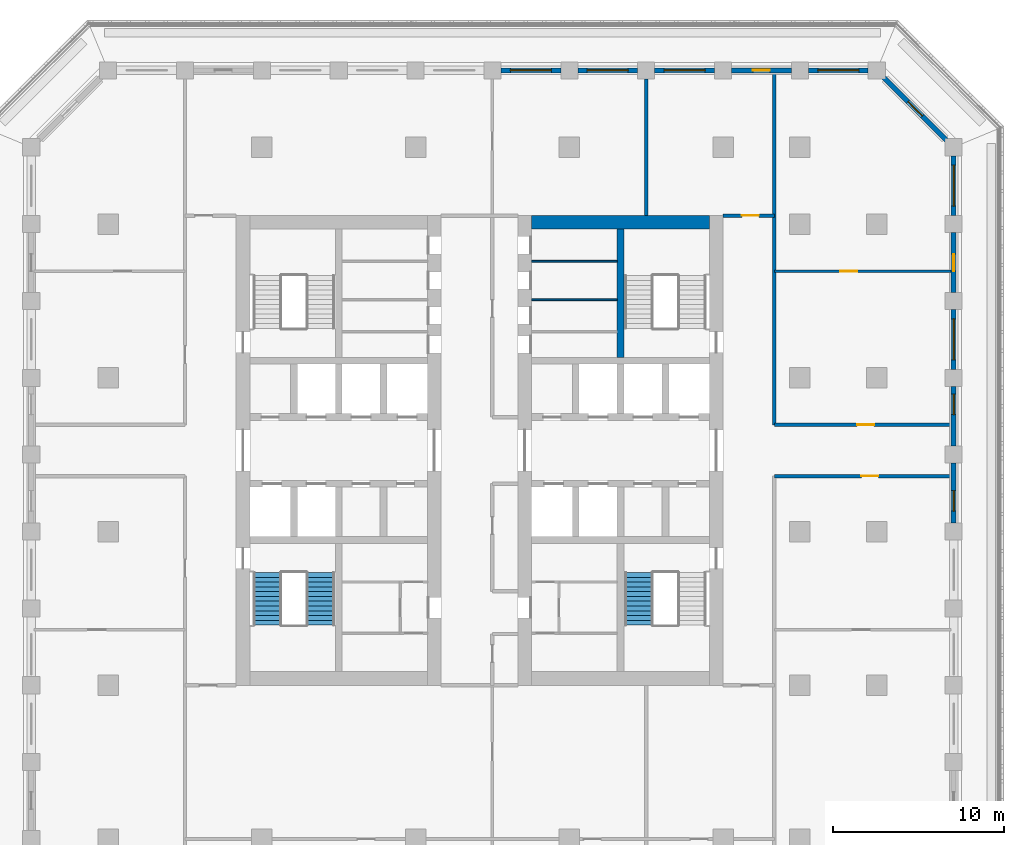
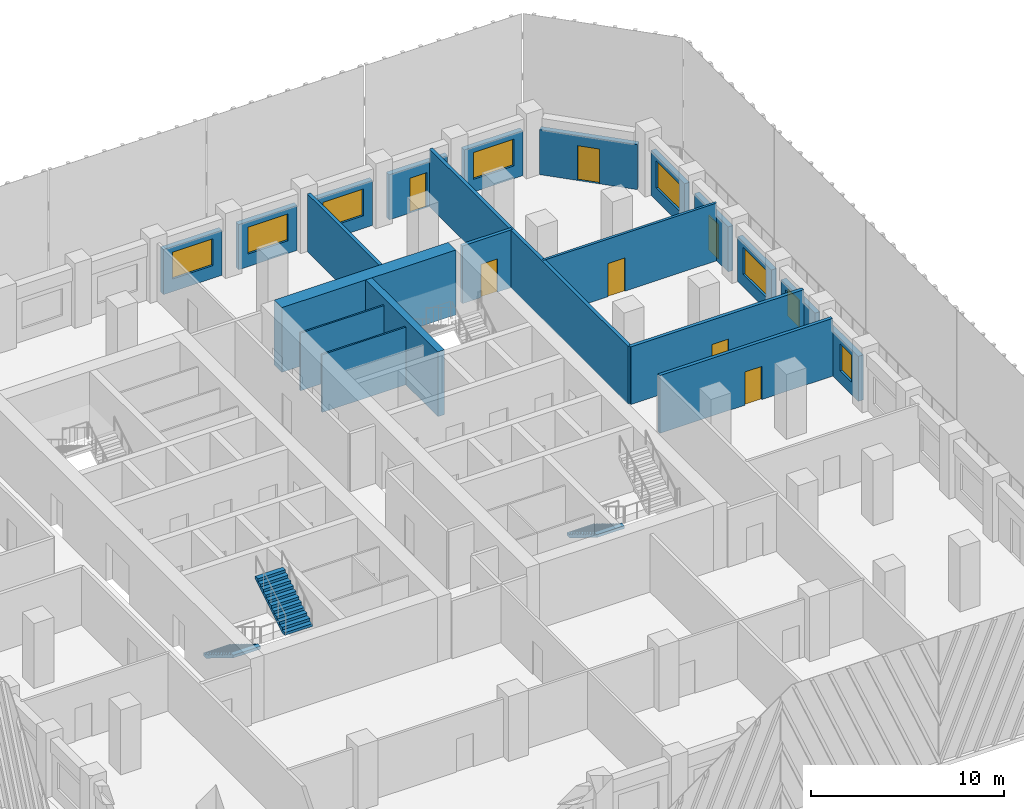
# One storey, part 7 of 16: 21 walls, 8 windows, 7 doors, 3 stair flights, 15 openings, 2 elements without a shape of their own.
"""IFC4 building model written with IfcOpenShell, lengths in metres."""

from ifc_helpers import new_model, si_unit, direction, frame, frame_2d, origin, place, context, subcontext, project, spatial, polyline, rectangle, outline, extrude, material, layer, layer_set, type_object, element, fill, aggregate, save


model = new_model("IFC4")

# Units and contexts
model_context = context("Model", 3, precision=1e-05, world=origin(), true_north=direction((0.0, 1.0)))
body_context = subcontext(model_context, "Body", "Model", "MODEL_VIEW")
ifc_project = project(units=[si_unit("LENGTHUNIT", "METRE"), si_unit("AREAUNIT", "SQUARE_METRE"), si_unit("VOLUMEUNIT", "CUBIC_METRE"), si_unit("PLANEANGLEUNIT", "RADIAN"), si_unit("MASSUNIT", "GRAM", prefix="KILO")], contexts=[model_context])

# Site, building, storey
site_placement = place(None, origin())
site = spatial("IfcSite", under=ifc_project, at=site_placement, CompositionType="ELEMENT")
building_placement = place(site_placement, origin())
building = spatial("IfcBuilding", under=site, at=building_placement, Name="Corbel Stack Research Tower", CompositionType="ELEMENT")
storey_placement = place(building_placement, frame((0.0, 0.0, 199.699951171875)))
storey = spatial("IfcBuildingStorey", under=building, at=storey_placement, Name="L45", CompositionType="ELEMENT", Elevation=199.699951171875)

# Walls
ifc_material_1 = material(Name="Concrete C60/75", Category="concrete")
ifc_layer_1 = layer(ifc_material_1, 0.39990234375)
ifc_layer_set_1 = layer_set([ifc_layer_1], Name="Concrete C60/75")
wall_type_1 = type_object("IfcWallType", Name="CW-400-60", PredefinedType="SHEAR", material=ifc_layer_set_1)
wall_1_placement = place(storey_placement, frame((12.0, 10.199951171875, 0.0), z_axis=(0.0, 0.0, 1.0), x_axis=(0.0, 1.0, 0.0)))
element("IfcWall", 1, at=wall_1_placement, inside=storey, type_object=wall_type_1, Name="East core wall, north stair and riser L45", PredefinedType="SHEAR", context=body_context, shape_type="SweptSolid", body=[
    extrude(rectangle(XDim=7.5, YDim=0.39990234375, at=frame_2d((3.75, 0.0))), origin(), (0.0, 0.0, 1.0), 4.10009765625),
])
ifc_material_2 = material(Name="Concrete C60/75", Category="concrete")
ifc_layer_2 = layer(ifc_material_2, 0.800048828125)
ifc_layer_set_2 = layer_set([ifc_layer_2], Name="Concrete C60/75")
wall_type_2 = type_object("IfcWallType", Name="CW-800-60", PredefinedType="SHEAR", material=ifc_layer_set_2)
wall_2_placement = place(storey_placement, frame((6.800048828125, 18.10009765625, 0.0), z_axis=(0.0, 0.0, 1.0), x_axis=(1.0, 0.0, 0.0)))
element("IfcWall", 2, at=wall_2_placement, inside=storey, type_object=wall_type_2, Name="East core wall, north end L45", PredefinedType="SHEAR", context=body_context, shape_type="SweptSolid", body=[
    extrude(rectangle(XDim=10.39990234375, YDim=0.800048828125, at=frame_2d((5.199951171875, 0.0))), origin(), (0.0, 0.0, 1.0), 4.10009765625),
])
ifc_material_3 = material(Name="Gypsum board")
ifc_layer_3 = layer(ifc_material_3, 0.10009765625)
ifc_layer_set_3 = layer_set([ifc_layer_3], Name="Gypsum board")
wall_type_3 = type_object("IfcWallType", Name="Core partition 100", PredefinedType="PARTITIONING", material=ifc_layer_set_3)
for number, where, z_axis, x_axis, name in (
    (3, (6.800048828125, 13.574951171875, 0.0), (0.0, 0.0, 1.0), (1.0, 0.0, 0.0), "Core partition E"),
    (4, (6.800048828125, 15.824951171875, 0.0), (0.0, 0.0, 1.0), (1.0, 0.0, 0.0), "Core partition E"),
):
    element("IfcWall", number, at=place(storey_placement, frame(where, z_axis=z_axis, x_axis=x_axis)), inside=storey, type_object=wall_type_3, Name=name, PredefinedType="PARTITIONING", context=body_context, shape_type="SweptSolid", body=[
        extrude(rectangle(XDim=5.0, YDim=0.10009765625, at=frame_2d((2.5, 0.0))), origin(), (0.0, 0.0, 1.0), 3.650146484375),
    ])
ifc_material_4 = material(Name="Fire-rated gypsum board partition on steel studs", Category="steel")
ifc_layer_4 = layer(ifc_material_4, 0.199951171875)
ifc_layer_set_4 = layer_set([ifc_layer_4], Name="Fire-rated gypsum board partition on steel studs")
wall_type_4 = type_object("IfcWallType", Name="Fire-rated partition 200 EI 60", PredefinedType="PARTITIONING", material=ifc_layer_set_4)
wall_3_placement = place(storey_placement, frame((13.5, 18.5, 0.0), z_axis=(0.0, 0.0, 1.0), x_axis=(0.0, 1.0, 0.0)))
element("IfcWall", 5, at=wall_3_placement, inside=storey, type_object=wall_type_4, Name="Partition L45-009", PredefinedType="PARTITIONING", context=body_context, shape_type="SweptSolid", body=[
    extrude(rectangle(XDim=8.0, YDim=0.199951171875, at=frame_2d((4.0, 0.0))), origin(), (0.0, 0.0, 1.0), 3.650146484375),
])
wall_4_placement = place(storey_placement, frame((21.0, 6.25, 0.0), z_axis=(0.0, 0.0, 1.0), x_axis=(0.0, 1.0, 0.0)))
element("IfcWall", 6, at=wall_4_placement, inside=storey, type_object=wall_type_4, Name="Partition L45-011", PredefinedType="PARTITIONING", context=body_context, shape_type="SweptSolid", body=[
    extrude(rectangle(XDim=20.60009765625, YDim=0.199951171875, at=frame_2d((10.300048828125, 0.0))), origin(), (0.0, 0.0, 1.0), 3.650146484375),
])

# Wall, opening, door
wall_5_placement = place(storey_placement, frame((31.35009765625, 3.25, 0.0), z_axis=(0.0, 0.0, 1.0), x_axis=(-1.0, 0.0, 0.0)))
wall_5 = element("IfcWall", 7, at=wall_5_placement, inside=storey, type_object=wall_type_4, Name="Partition L45-026", PredefinedType="PARTITIONING", context=body_context, shape_type="SweptSolid", body=[
    extrude(rectangle(XDim=10.35009765625, YDim=0.199951171875, at=frame_2d((5.175048828125, 0.0))), origin(), (0.0, 0.0, 1.0), 3.650146484375),
])
opening_1_placement = place(wall_5_placement, frame((4.25, 0.0, 0.0)))
opening_1 = element("IfcOpeningElement", 8, at=opening_1_placement, cuts=wall_5, Name="Opening B6V0-010", PredefinedType="OPENING", context=body_context, shape_type="SweptSolid", body=[
    extrude(rectangle(XDim=1.0, YDim=2.10009765625, at=frame_2d((0.5, 1.050048828125))), frame((0.0, 0.10986328125, 0.0), z_axis=(0.0, -1.0, 0.0), x_axis=(1.0, 0.0, 0.0)), (0.0, 0.0, 1.0), 0.219970703125),
])
ifc_material_5 = material(Name="Painted steel fire door", Category="steel")
door_type_1 = type_object("IfcDoorType", Name="Fire door FD30S 1000 x 2100", OperationType="NOTDEFINED", PredefinedType="DOOR", material=ifc_material_5)
door_1_placement = place(opening_1_placement, origin())
door_1 = element("IfcDoor", 9, at=door_1_placement, inside=storey, type_object=door_type_1, Name="Door B6V0-010", OperationType="SINGLE_SWING_LEFT", OverallHeight=2.10009765625, OverallWidth=1.0, PredefinedType="DOOR", context=body_context, shape_type="SweptSolid", body=[
    extrude(rectangle(XDim=1.0, YDim=2.10009765625, at=frame_2d((0.5, 1.050048828125))), frame((0.0, 0.02490234375, 0.0), z_axis=(0.0, -1.0, 0.0), x_axis=(1.0, 0.0, 0.0)), (0.0, 0.0, 1.0), 0.050048828125),
])
fill(opening_1, door_1)

wall_6_placement = place(storey_placement, frame((21.0, 6.25, 0.0), z_axis=(0.0, 0.0, 1.0), x_axis=(1.0, 0.0, 0.0)))
wall_6 = element("IfcWall", 10, at=wall_6_placement, inside=storey, type_object=wall_type_4, Name="Partition L45-028", PredefinedType="PARTITIONING", context=body_context, shape_type="SweptSolid", body=[
    extrude(rectangle(XDim=10.35009765625, YDim=0.199951171875, at=frame_2d((5.175048828125, 0.0))), origin(), (0.0, 0.0, 1.0), 3.650146484375),
])
opening_2_placement = place(wall_6_placement, frame((4.85009765625, 0.0, 0.0)))
opening_2 = element("IfcOpeningElement", 11, at=opening_2_placement, cuts=wall_6, Name="Opening B6V0-016", PredefinedType="OPENING", context=body_context, shape_type="SweptSolid", body=[
    extrude(rectangle(XDim=1.0, YDim=2.10009765625, at=frame_2d((0.5, 1.050048828125))), frame((0.0, 0.10986328125, 0.0), z_axis=(0.0, -1.0, 0.0), x_axis=(1.0, 0.0, 0.0)), (0.0, 0.0, 1.0), 0.219970703125),
])
door_2_placement = place(opening_2_placement, origin())
door_2 = element("IfcDoor", 12, at=door_2_placement, inside=storey, type_object=door_type_1, Name="Door B6V0-016", OperationType="SINGLE_SWING_RIGHT", OverallHeight=2.10009765625, OverallWidth=1.0, PredefinedType="DOOR", context=body_context, shape_type="SweptSolid", body=[
    extrude(rectangle(XDim=1.0, YDim=2.10009765625, at=frame_2d((0.5, 1.050048828125))), frame((0.0, 0.02490234375, 0.0), z_axis=(0.0, -1.0, 0.0), x_axis=(1.0, 0.0, 0.0)), (0.0, 0.0, 1.0), 0.050048828125),
])
fill(opening_2, door_2)

wall_7_placement = place(storey_placement, frame((18.0, 18.5, 0.0), z_axis=(0.0, 0.0, 1.0), x_axis=(1.0, 0.0, 0.0)))
wall_7 = element("IfcWall", 13, at=wall_7_placement, inside=storey, type_object=wall_type_4, Name="Partition L45-034", PredefinedType="PARTITIONING", context=body_context, shape_type="SweptSolid", body=[
    extrude(rectangle(XDim=3.0, YDim=0.199951171875, at=frame_2d((1.5, 0.0))), origin(), (0.0, 0.0, 1.0), 3.650146484375),
])
opening_3_placement = place(wall_7_placement, frame((1.10009765625, 0.0, 0.0)))
opening_3 = element("IfcOpeningElement", 14, at=opening_3_placement, cuts=wall_7, Name="Opening B6V0-020", PredefinedType="OPENING", context=body_context, shape_type="SweptSolid", body=[
    extrude(rectangle(XDim=1.0, YDim=2.10009765625, at=frame_2d((0.5, 1.050048828125))), frame((0.0, 0.10986328125, 0.0), z_axis=(0.0, -1.0, 0.0), x_axis=(1.0, 0.0, 0.0)), (0.0, 0.0, 1.0), 0.219970703125),
])
door_3_placement = place(opening_3_placement, origin())
door_3 = element("IfcDoor", 15, at=door_3_placement, inside=storey, type_object=door_type_1, Name="Door B6V0-020", OperationType="SINGLE_SWING_RIGHT", OverallHeight=2.10009765625, OverallWidth=1.0, PredefinedType="DOOR", context=body_context, shape_type="SweptSolid", body=[
    extrude(rectangle(XDim=1.0, YDim=2.10009765625, at=frame_2d((0.5, 1.050048828125))), frame((0.0, 0.02490234375, 0.0), z_axis=(0.0, -1.0, 0.0), x_axis=(1.0, 0.0, 0.0)), (0.0, 0.0, 1.0), 0.050048828125),
])
fill(opening_3, door_3)

ifc_material_6 = material(Name="Gypsum board partition on steel studs", Category="steel")
ifc_layer_5 = layer(ifc_material_6, 0.14990234375)
ifc_layer_set_5 = layer_set([ifc_layer_5], Name="Gypsum board partition on steel studs")
wall_type_5 = type_object("IfcWallType", Name="Partition 150", PredefinedType="PARTITIONING", material=ifc_layer_set_5)
wall_8_placement = place(storey_placement, frame((21.0, 15.25, 0.0), z_axis=(0.0, 0.0, 1.0), x_axis=(1.0, 0.0, 0.0)))
wall_8 = element("IfcWall", 16, at=wall_8_placement, inside=storey, type_object=wall_type_5, Name="Partition L45-031", PredefinedType="PARTITIONING", context=body_context, shape_type="SweptSolid", body=[
    extrude(rectangle(XDim=10.35009765625, YDim=0.14990234375, at=frame_2d((5.175048828125, 0.0))), origin(), (0.0, 0.0, 1.0), 3.650146484375),
])
opening_4_placement = place(wall_8_placement, frame((3.85009765625, 0.0, 0.0)))
opening_4 = element("IfcOpeningElement", 17, at=opening_4_placement, cuts=wall_8, Name="Opening B6V0-018", PredefinedType="OPENING", context=body_context, shape_type="SweptSolid", body=[
    extrude(rectangle(XDim=1.0, YDim=2.10009765625, at=frame_2d((0.5, 1.050048828125))), frame((0.0, 0.0849609375, 0.0), z_axis=(0.0, -1.0, 0.0), x_axis=(1.0, 0.0, 0.0)), (0.0, 0.0, 1.0), 0.169921875),
])
ifc_material_7 = material(Name="Painted timber door", Category="wood")
door_type_2 = type_object("IfcDoorType", Name="Single door 1000 x 2100", OperationType="NOTDEFINED", PredefinedType="DOOR", material=ifc_material_7)
door_4_placement = place(opening_4_placement, origin())
door_4 = element("IfcDoor", 18, at=door_4_placement, inside=storey, type_object=door_type_2, Name="Door B6V0-018", OperationType="SINGLE_SWING_LEFT", OverallHeight=2.10009765625, OverallWidth=1.0, PredefinedType="DOOR", context=body_context, shape_type="SweptSolid", body=[
    extrude(rectangle(XDim=1.0, YDim=2.10009765625, at=frame_2d((0.5, 1.050048828125))), frame((0.0, 0.02490234375, 0.0), z_axis=(0.0, -1.0, 0.0), x_axis=(1.0, 0.0, 0.0)), (0.0, 0.0, 1.0), 0.050048828125),
])
fill(opening_4, door_4)

# Wall, opening, window
ifc_material_8 = material(Name="Concrete C45/55", Category="concrete")
ifc_layer_6 = layer(ifc_material_8, 0.300048828125)
ifc_layer_set_6 = layer_set([ifc_layer_6], Name="Concrete C45/55")
wall_type_6 = type_object("IfcWallType", Name="Terracotta-faced concrete wall 300", PredefinedType="SOLIDWALL", material=ifc_layer_set_6)
wall_9_placement = place(storey_placement, frame((31.5, 4.0, 0.0), z_axis=(0.0, 0.0, 1.0), x_axis=(0.0, -1.0, 0.0)))
wall_9 = element("IfcWall", 19, at=wall_9_placement, inside=storey, type_object=wall_type_6, Name="Facade wall L45 E06", PredefinedType="SOLIDWALL", context=body_context, shape_type="SweptSolid", body=[
    extrude(rectangle(XDim=3.5, YDim=0.300048828125, at=frame_2d((1.75, 0.0))), origin(), (0.0, 0.0, 1.0), 2.85009765625),
])
opening_5_placement = place(wall_9_placement, frame((1.60009765625, 0.0, 0.800048828125)))
opening_5 = element("IfcOpeningElement", 20, at=opening_5_placement, cuts=wall_9, Name="Opening W2", PredefinedType="OPENING", context=body_context, shape_type="SweptSolid", body=[
    extrude(rectangle(XDim=1.199951171875, YDim=1.699951171875, at=frame_2d((0.60009765625, 0.85009765625))), frame((0.0, 0.159912109375, 0.0), z_axis=(0.0, -1.0, 0.0), x_axis=(1.0, 0.0, 0.0)), (0.0, 0.0, 1.0), 0.320068359375),
])
ifc_material_9 = material(Name="Aluminium frame, clear double glazing", Category="aluminium")
window_type_1 = type_object("IfcWindowType", Name="Window W2 1200 x 1700", PartitioningType="SINGLE_PANEL", PredefinedType="WINDOW", material=ifc_material_9)
window_1_placement = place(opening_5_placement, origin())
window_1 = element("IfcWindow", 21, at=window_1_placement, inside=storey, type_object=window_type_1, Name="Window W2 L45 E06", OverallHeight=1.699951171875, OverallWidth=1.199951171875, PartitioningType="SINGLE_PANEL", PredefinedType="WINDOW", context=body_context, shape_type="SweptSolid", body=[
    extrude(rectangle(XDim=1.199951171875, YDim=1.699951171875, at=frame_2d((0.60009765625, 0.85009765625))), frame((0.0, 0.030029296875, 0.0), z_axis=(0.0, -1.0, 0.0), x_axis=(1.0, 0.0, 0.0)), (0.0, 0.0, 1.0), 0.06005859375),
])
fill(opening_5, window_1)

wall_10_placement = place(storey_placement, frame((31.5, 8.5, 0.0), z_axis=(0.0, 0.0, 1.0), x_axis=(0.0, -1.0, 0.0)))
wall_10 = element("IfcWall", 22, at=wall_10_placement, inside=storey, type_object=wall_type_6, Name="Facade wall L45 E07", PredefinedType="SOLIDWALL", context=body_context, shape_type="SweptSolid", body=[
    extrude(rectangle(XDim=3.5, YDim=0.300048828125, at=frame_2d((1.75, 0.0))), origin(), (0.0, 0.0, 1.0), 2.85009765625),
])
opening_6_placement = place(wall_10_placement, frame((0.449951171875, 0.0, 0.800048828125)))
opening_6 = element("IfcOpeningElement", 23, at=opening_6_placement, cuts=wall_10, Name="Opening W2", PredefinedType="OPENING", context=body_context, shape_type="SweptSolid", body=[
    extrude(rectangle(XDim=1.199951171875, YDim=1.699951171875, at=frame_2d((0.60009765625, 0.85009765625))), frame((0.0, 0.159912109375, 0.0), z_axis=(0.0, -1.0, 0.0), x_axis=(1.0, 0.0, 0.0)), (0.0, 0.0, 1.0), 0.320068359375),
])
window_2_placement = place(opening_6_placement, origin())
window_2 = element("IfcWindow", 24, at=window_2_placement, inside=storey, type_object=window_type_1, Name="Window W2 L45 E07", OverallHeight=1.699951171875, OverallWidth=1.199951171875, PartitioningType="SINGLE_PANEL", PredefinedType="WINDOW", context=body_context, shape_type="SweptSolid", body=[
    extrude(rectangle(XDim=1.199951171875, YDim=1.699951171875, at=frame_2d((0.60009765625, 0.85009765625))), frame((0.0, 0.030029296875, 0.0), z_axis=(0.0, -1.0, 0.0), x_axis=(1.0, 0.0, 0.0)), (0.0, 0.0, 1.0), 0.06005859375),
])
fill(opening_6, window_2)

wall_11_placement = place(storey_placement, frame((31.5, 13.0, 0.0), z_axis=(0.0, 0.0, 1.0), x_axis=(0.0, -1.0, 0.0)))
wall_11 = element("IfcWall", 25, at=wall_11_placement, inside=storey, type_object=wall_type_6, Name="Facade wall L45 E08", PredefinedType="SOLIDWALL", context=body_context, shape_type="SweptSolid", body=[
    extrude(rectangle(XDim=3.5, YDim=0.300048828125, at=frame_2d((1.75, 0.0))), origin(), (0.0, 0.0, 1.0), 2.85009765625),
])
opening_7_placement = place(wall_11_placement, frame((0.550048828125, 0.0, 0.800048828125)))
opening_7 = element("IfcOpeningElement", 26, at=opening_7_placement, cuts=wall_11, Name="Opening W1", PredefinedType="OPENING", context=body_context, shape_type="SweptSolid", body=[
    extrude(rectangle(XDim=2.39990234375, YDim=1.699951171875, at=frame_2d((1.199951171875, 0.85009765625))), frame((0.0, 0.159912109375, 0.0), z_axis=(0.0, -1.0, 0.0), x_axis=(1.0, 0.0, 0.0)), (0.0, 0.0, 1.0), 0.320068359375),
])
ifc_material_10 = material(Name="Aluminium frame, clear double glazing", Category="aluminium")
window_type_2 = type_object("IfcWindowType", Name="Window W1 2400 x 1700", PartitioningType="SINGLE_PANEL", PredefinedType="WINDOW", material=ifc_material_10)
window_3_placement = place(opening_7_placement, origin())
window_3 = element("IfcWindow", 27, at=window_3_placement, inside=storey, type_object=window_type_2, Name="Window W1 L45 E08", OverallHeight=1.699951171875, OverallWidth=2.39990234375, PartitioningType="SINGLE_PANEL", PredefinedType="WINDOW", context=body_context, shape_type="SweptSolid", body=[
    extrude(rectangle(XDim=2.39990234375, YDim=1.699951171875, at=frame_2d((1.199951171875, 0.85009765625))), frame((0.0, 0.030029296875, 0.0), z_axis=(0.0, -1.0, 0.0), x_axis=(1.0, 0.0, 0.0)), (0.0, 0.0, 1.0), 0.06005859375),
])
fill(opening_7, window_3)

# Wall, opening, door
wall_12_placement = place(storey_placement, frame((31.5, 17.5, 0.0), z_axis=(0.0, 0.0, 1.0), x_axis=(0.0, -1.0, 0.0)))
wall_12 = element("IfcWall", 28, at=wall_12_placement, inside=storey, type_object=wall_type_6, Name="Facade wall L45 E09", PredefinedType="SOLIDWALL", context=body_context, shape_type="SweptSolid", body=[
    extrude(rectangle(XDim=3.5, YDim=0.300048828125, at=frame_2d((1.75, 0.0))), origin(), (0.0, 0.0, 1.0), 2.85009765625),
])
opening_8_placement = place(wall_12_placement, frame((1.25, 0.0, 0.0)))
opening_8 = element("IfcOpeningElement", 29, at=opening_8_placement, cuts=wall_12, Name="Opening L45-B05", PredefinedType="OPENING", context=body_context, shape_type="SweptSolid", body=[
    extrude(rectangle(XDim=1.0, YDim=2.199951171875, at=frame_2d((0.5, 1.10009765625))), frame((0.0, 0.159912109375, 0.0), z_axis=(0.0, -1.0, 0.0), x_axis=(1.0, 0.0, 0.0)), (0.0, 0.0, 1.0), 0.320068359375),
])
ifc_material_11 = material(Name="Aluminium frame, clear double glazing", Category="aluminium")
door_type_3 = type_object("IfcDoorType", Name="Balcony door BD1 1000 x 2200", OperationType="NOTDEFINED", PredefinedType="DOOR", material=ifc_material_11)
door_5_placement = place(opening_8_placement, origin())
door_5 = element("IfcDoor", 30, at=door_5_placement, inside=storey, type_object=door_type_3, Name="Balcony door L45-B05", OperationType="SINGLE_SWING_RIGHT", OverallHeight=2.199951171875, OverallWidth=1.0, PredefinedType="DOOR", context=body_context, shape_type="SweptSolid", body=[
    extrude(rectangle(XDim=1.0, YDim=2.199951171875, at=frame_2d((0.5, 1.10009765625))), frame((0.0, 0.02490234375, 0.0), z_axis=(0.0, -1.0, 0.0), x_axis=(1.0, 0.0, 0.0)), (0.0, 0.0, 1.0), 0.050048828125),
])
fill(opening_8, door_5)

# Wall, opening, window
wall_13_placement = place(storey_placement, frame((31.5, 22.0, 0.0), z_axis=(0.0, 0.0, 1.0), x_axis=(0.0, -1.0, 0.0)))
wall_13 = element("IfcWall", 31, at=wall_13_placement, inside=storey, type_object=wall_type_6, Name="Facade wall L45 E10", PredefinedType="SOLIDWALL", context=body_context, shape_type="SweptSolid", body=[
    extrude(rectangle(XDim=3.5, YDim=0.300048828125, at=frame_2d((1.75, 0.0))), origin(), (0.0, 0.0, 1.0), 2.85009765625),
])
opening_9_placement = place(wall_13_placement, frame((0.550048828125, 0.0, 0.800048828125)))
opening_9 = element("IfcOpeningElement", 32, at=opening_9_placement, cuts=wall_13, Name="Opening W1", PredefinedType="OPENING", context=body_context, shape_type="SweptSolid", body=[
    extrude(rectangle(XDim=2.39990234375, YDim=1.699951171875, at=frame_2d((1.199951171875, 0.85009765625))), frame((0.0, 0.159912109375, 0.0), z_axis=(0.0, -1.0, 0.0), x_axis=(1.0, 0.0, 0.0)), (0.0, 0.0, 1.0), 0.320068359375),
])
window_4_placement = place(opening_9_placement, origin())
window_4 = element("IfcWindow", 33, at=window_4_placement, inside=storey, type_object=window_type_2, Name="Window W1 L45 E10", OverallHeight=1.699951171875, OverallWidth=2.39990234375, PartitioningType="SINGLE_PANEL", PredefinedType="WINDOW", context=body_context, shape_type="SweptSolid", body=[
    extrude(rectangle(XDim=2.39990234375, YDim=1.699951171875, at=frame_2d((1.199951171875, 0.85009765625))), frame((0.0, 0.030029296875, 0.0), z_axis=(0.0, -1.0, 0.0), x_axis=(1.0, 0.0, 0.0)), (0.0, 0.0, 1.0), 0.06005859375),
])
fill(opening_9, window_4)

# Wall, opening, door
wall_14_placement = place(storey_placement, frame((27.393798828125, 26.606201171875, 0.0), z_axis=(0.0, 0.0, 1.0), x_axis=(0.707106781187, -0.707106781187, 0.0)))
wall_14 = element("IfcWall", 34, at=wall_14_placement, inside=storey, type_object=wall_type_6, Name="Facade wall L45 NE01", PredefinedType="SOLIDWALL", context=body_context, shape_type="SweptSolid", body=[
    extrude(rectangle(XDim=5.250244140625, YDim=0.300048828125, at=frame_2d((2.625, 0.0))), origin(), (0.0, 0.0, 1.0), 2.85009765625),
])
opening_10_placement = place(wall_14_placement, frame((2.02490234375, 0.0, 0.0)))
opening_10 = element("IfcOpeningElement", 35, at=opening_10_placement, cuts=wall_14, Name="Opening L45-B06", PredefinedType="OPENING", context=body_context, shape_type="SweptSolid", body=[
    extrude(rectangle(XDim=1.199951171875, YDim=2.199951171875, at=frame_2d((0.60009765625, 1.10009765625))), frame((0.0, 0.159912109375, 0.0), z_axis=(0.0, -1.0, 0.0), x_axis=(1.0, 0.0, 0.0)), (0.0, 0.0, 1.0), 0.320068359375),
])
ifc_material_12 = material(Name="Aluminium frame, clear double glazing", Category="aluminium")
door_type_4 = type_object("IfcDoorType", Name="Balcony door BD2 1200 x 2200", OperationType="NOTDEFINED", PredefinedType="DOOR", material=ifc_material_12)
door_6_placement = place(opening_10_placement, origin())
door_6 = element("IfcDoor", 36, at=door_6_placement, inside=storey, type_object=door_type_4, Name="Balcony door L45-B06", OperationType="SINGLE_SWING_RIGHT", OverallHeight=2.199951171875, OverallWidth=1.199951171875, PredefinedType="DOOR", context=body_context, shape_type="SweptSolid", body=[
    extrude(rectangle(XDim=1.199951171875, YDim=2.199951171875, at=frame_2d((0.60009765625, 1.10009765625))), frame((0.0, 0.02490234375, 0.0), z_axis=(0.0, -1.0, 0.0), x_axis=(1.0, 0.0, 0.0)), (0.0, 0.0, 1.0), 0.050048828125),
])
fill(opening_10, door_6)

# Wall, opening, window
wall_15_placement = place(storey_placement, frame((23.0, 27.0, 0.0), z_axis=(0.0, 0.0, 1.0), x_axis=(1.0, 0.0, 0.0)))
wall_15 = element("IfcWall", 37, at=wall_15_placement, inside=storey, type_object=wall_type_6, Name="Facade wall L45 N01", PredefinedType="SOLIDWALL", context=body_context, shape_type="SweptSolid", body=[
    extrude(rectangle(XDim=3.5, YDim=0.300048828125, at=frame_2d((1.75, 0.0))), origin(), (0.0, 0.0, 1.0), 2.85009765625),
])
opening_11_placement = place(wall_15_placement, frame((0.550048828125, 0.0, 0.800048828125)))
opening_11 = element("IfcOpeningElement", 38, at=opening_11_placement, cuts=wall_15, Name="Opening W1", PredefinedType="OPENING", context=body_context, shape_type="SweptSolid", body=[
    extrude(rectangle(XDim=2.39990234375, YDim=1.699951171875, at=frame_2d((1.199951171875, 0.85009765625))), frame((0.0, 0.159912109375, 0.0), z_axis=(0.0, -1.0, 0.0), x_axis=(1.0, 0.0, 0.0)), (0.0, 0.0, 1.0), 0.320068359375),
])
window_5_placement = place(opening_11_placement, origin())
window_5 = element("IfcWindow", 39, at=window_5_placement, inside=storey, type_object=window_type_2, Name="Window W1 L45 N01", OverallHeight=1.699951171875, OverallWidth=2.39990234375, PartitioningType="SINGLE_PANEL", PredefinedType="WINDOW", context=body_context, shape_type="SweptSolid", body=[
    extrude(rectangle(XDim=2.39990234375, YDim=1.699951171875, at=frame_2d((1.199951171875, 0.85009765625))), frame((0.0, 0.030029296875, 0.0), z_axis=(0.0, -1.0, 0.0), x_axis=(1.0, 0.0, 0.0)), (0.0, 0.0, 1.0), 0.06005859375),
])
fill(opening_11, window_5)

# Wall, opening, door
wall_16_placement = place(storey_placement, frame((18.5, 27.0, 0.0), z_axis=(0.0, 0.0, 1.0), x_axis=(1.0, 0.0, 0.0)))
wall_16 = element("IfcWall", 40, at=wall_16_placement, inside=storey, type_object=wall_type_6, Name="Facade wall L45 N02", PredefinedType="SOLIDWALL", context=body_context, shape_type="SweptSolid", body=[
    extrude(rectangle(XDim=3.5, YDim=0.300048828125, at=frame_2d((1.75, 0.0))), origin(), (0.0, 0.0, 1.0), 2.85009765625),
])
opening_12_placement = place(wall_16_placement, frame((1.25, 0.0, 0.0)))
opening_12 = element("IfcOpeningElement", 41, at=opening_12_placement, cuts=wall_16, Name="Opening L45-B07", PredefinedType="OPENING", context=body_context, shape_type="SweptSolid", body=[
    extrude(rectangle(XDim=1.0, YDim=2.199951171875, at=frame_2d((0.5, 1.10009765625))), frame((0.0, 0.159912109375, 0.0), z_axis=(0.0, -1.0, 0.0), x_axis=(1.0, 0.0, 0.0)), (0.0, 0.0, 1.0), 0.320068359375),
])
door_7_placement = place(opening_12_placement, origin())
door_7 = element("IfcDoor", 42, at=door_7_placement, inside=storey, type_object=door_type_3, Name="Balcony door L45-B07", OperationType="SINGLE_SWING_LEFT", OverallHeight=2.199951171875, OverallWidth=1.0, PredefinedType="DOOR", context=body_context, shape_type="SweptSolid", body=[
    extrude(rectangle(XDim=1.0, YDim=2.199951171875, at=frame_2d((0.5, 1.10009765625))), frame((0.0, 0.02490234375, 0.0), z_axis=(0.0, -1.0, 0.0), x_axis=(1.0, 0.0, 0.0)), (0.0, 0.0, 1.0), 0.050048828125),
])
fill(opening_12, door_7)

# Wall, opening, window
wall_17_placement = place(storey_placement, frame((14.0, 27.0, 0.0), z_axis=(0.0, 0.0, 1.0), x_axis=(1.0, 0.0, 0.0)))
wall_17 = element("IfcWall", 43, at=wall_17_placement, inside=storey, type_object=wall_type_6, Name="Facade wall L45 N03", PredefinedType="SOLIDWALL", context=body_context, shape_type="SweptSolid", body=[
    extrude(rectangle(XDim=3.5, YDim=0.300048828125, at=frame_2d((1.75, 0.0))), origin(), (0.0, 0.0, 1.0), 2.85009765625),
])
opening_13_placement = place(wall_17_placement, frame((0.550048828125, 0.0, 0.800048828125)))
opening_13 = element("IfcOpeningElement", 44, at=opening_13_placement, cuts=wall_17, Name="Opening W1", PredefinedType="OPENING", context=body_context, shape_type="SweptSolid", body=[
    extrude(rectangle(XDim=2.39990234375, YDim=1.699951171875, at=frame_2d((1.199951171875, 0.85009765625))), frame((0.0, 0.159912109375, 0.0), z_axis=(0.0, -1.0, 0.0), x_axis=(1.0, 0.0, 0.0)), (0.0, 0.0, 1.0), 0.320068359375),
])
window_6_placement = place(opening_13_placement, origin())
window_6 = element("IfcWindow", 45, at=window_6_placement, inside=storey, type_object=window_type_2, Name="Window W1 L45 N03", OverallHeight=1.699951171875, OverallWidth=2.39990234375, PartitioningType="SINGLE_PANEL", PredefinedType="WINDOW", context=body_context, shape_type="SweptSolid", body=[
    extrude(rectangle(XDim=2.39990234375, YDim=1.699951171875, at=frame_2d((1.199951171875, 0.85009765625))), frame((0.0, 0.030029296875, 0.0), z_axis=(0.0, -1.0, 0.0), x_axis=(1.0, 0.0, 0.0)), (0.0, 0.0, 1.0), 0.06005859375),
])
fill(opening_13, window_6)

wall_18_placement = place(storey_placement, frame((9.5, 27.0, 0.0), z_axis=(0.0, 0.0, 1.0), x_axis=(1.0, 0.0, 0.0)))
wall_18 = element("IfcWall", 46, at=wall_18_placement, inside=storey, type_object=wall_type_6, Name="Facade wall L45 N04", PredefinedType="SOLIDWALL", context=body_context, shape_type="SweptSolid", body=[
    extrude(rectangle(XDim=3.5, YDim=0.300048828125, at=frame_2d((1.75, 0.0))), origin(), (0.0, 0.0, 1.0), 2.85009765625),
])
opening_14_placement = place(wall_18_placement, frame((0.550048828125, 0.0, 0.800048828125)))
opening_14 = element("IfcOpeningElement", 47, at=opening_14_placement, cuts=wall_18, Name="Opening W1", PredefinedType="OPENING", context=body_context, shape_type="SweptSolid", body=[
    extrude(rectangle(XDim=2.39990234375, YDim=1.699951171875, at=frame_2d((1.199951171875, 0.85009765625))), frame((0.0, 0.159912109375, 0.0), z_axis=(0.0, -1.0, 0.0), x_axis=(1.0, 0.0, 0.0)), (0.0, 0.0, 1.0), 0.320068359375),
])
window_7_placement = place(opening_14_placement, origin())
window_7 = element("IfcWindow", 48, at=window_7_placement, inside=storey, type_object=window_type_2, Name="Window W1 L45 N04", OverallHeight=1.699951171875, OverallWidth=2.39990234375, PartitioningType="SINGLE_PANEL", PredefinedType="WINDOW", context=body_context, shape_type="SweptSolid", body=[
    extrude(rectangle(XDim=2.39990234375, YDim=1.699951171875, at=frame_2d((1.199951171875, 0.85009765625))), frame((0.0, 0.030029296875, 0.0), z_axis=(0.0, -1.0, 0.0), x_axis=(1.0, 0.0, 0.0)), (0.0, 0.0, 1.0), 0.06005859375),
])
fill(opening_14, window_7)

wall_19_placement = place(storey_placement, frame((5.0, 27.0, 0.0), z_axis=(0.0, 0.0, 1.0), x_axis=(1.0, 0.0, 0.0)))
wall_19 = element("IfcWall", 49, at=wall_19_placement, inside=storey, type_object=wall_type_6, Name="Facade wall L45 N05", PredefinedType="SOLIDWALL", context=body_context, shape_type="SweptSolid", body=[
    extrude(rectangle(XDim=3.5, YDim=0.300048828125, at=frame_2d((1.75, 0.0))), origin(), (0.0, 0.0, 1.0), 2.85009765625),
])
opening_15_placement = place(wall_19_placement, frame((0.550048828125, 0.0, 0.800048828125)))
opening_15 = element("IfcOpeningElement", 50, at=opening_15_placement, cuts=wall_19, Name="Opening W1", PredefinedType="OPENING", context=body_context, shape_type="SweptSolid", body=[
    extrude(rectangle(XDim=2.39990234375, YDim=1.699951171875, at=frame_2d((1.199951171875, 0.85009765625))), frame((0.0, 0.159912109375, 0.0), z_axis=(0.0, -1.0, 0.0), x_axis=(1.0, 0.0, 0.0)), (0.0, 0.0, 1.0), 0.320068359375),
])
window_8_placement = place(opening_15_placement, origin())
window_8 = element("IfcWindow", 51, at=window_8_placement, inside=storey, type_object=window_type_2, Name="Window W1 L45 N05", OverallHeight=1.699951171875, OverallWidth=2.39990234375, PartitioningType="SINGLE_PANEL", PredefinedType="WINDOW", context=body_context, shape_type="SweptSolid", body=[
    extrude(rectangle(XDim=2.39990234375, YDim=1.699951171875, at=frame_2d((1.199951171875, 0.85009765625))), frame((0.0, 0.030029296875, 0.0), z_axis=(0.0, -1.0, 0.0), x_axis=(1.0, 0.0, 0.0)), (0.0, 0.0, 1.0), 0.06005859375),
])
fill(opening_15, window_8)

# Stair, stair flights
ifc_material_13 = material(Name="Concrete C40/50", Category="concrete")
stair_type = type_object("IfcStairType", Name="Exit stair 24 risers", PredefinedType="HALF_TURN_STAIR", material=ifc_material_13)
stair_1_placement = place(storey_placement, origin())
stair_1 = element("IfcStair", 52, at=stair_1_placement, inside=storey, type_object=stair_type, Name="L45 Exit stair ST-W1", PredefinedType="HALF_TURN_STAIR")
ifc_material_14 = material(Name="Concrete C40/50", Category="concrete")
stair_flight_type = type_object("IfcStairFlightType", Name="Stair flight 12 risers", PredefinedType="STRAIGHT", material=ifc_material_14)
stair_flight_1_placement = place(storey_placement, frame((-8.675048828125, -2.39990234375, 0.0), z_axis=(0.0, 0.0, 1.0), x_axis=(0.0, -1.0, 0.0)))
stair_flight_1 = element("IfcStairFlight", 53, at=stair_flight_1_placement, type_object=stair_flight_type, Name="ST-W1 flight 1", NumberOfRisers=12, NumberOfTreads=11, PredefinedType="STRAIGHT", RiserHeight=0.170833333, TreadLength=0.28, context=body_context, shape_type="SweptSolid", body=[
    extrude(outline(polyline([(0.0, 0.0), (0.0, 0.1708984375), (0.280029296875, 0.1708984375), (0.280029296875, 0.341552734375), (0.56005859375, 0.341552734375), (0.56005859375, 0.512451171875), (0.840087890625, 0.512451171875), (0.840087890625, 0.683349609375), (1.1201171875, 0.683349609375), (1.1201171875, 0.854248046875), (1.39990234375, 0.854248046875), (1.39990234375, 1.02490234375), (1.679931640625, 1.02490234375), (1.679931640625, 1.19580078125), (1.9599609375, 1.19580078125), (1.9599609375, 1.36669921875), (2.239990234375, 1.36669921875), (2.239990234375, 1.53759765625), (2.52001953125, 1.53759765625), (2.52001953125, 1.708251953125), (2.800048828125, 1.708251953125), (2.800048828125, 1.879150390625), (3.080078125, 1.879150390625), (3.080078125, 2.050048828125), (3.080078125, 1.70361328125), (0.287841796875, 0.0), (0.0, 0.0)])), frame((0.0, 0.824951171875, 0.0), z_axis=(0.0, -1.0, 0.0), x_axis=(1.0, 0.0, 0.0)), (0.0, 0.0, 1.0), 1.64990234375),
])
stair_flight_2_placement = place(storey_placement, frame((-5.574951171875, -5.47998046875, 2.050048828125), z_axis=(0.0, 0.0, 1.0), x_axis=(0.0, 1.0, 0.0)))
stair_flight_2 = element("IfcStairFlight", 54, at=stair_flight_2_placement, type_object=stair_flight_type, Name="ST-W1 flight 2", NumberOfRisers=12, NumberOfTreads=11, PredefinedType="STRAIGHT", RiserHeight=0.170833333, TreadLength=0.28, context=body_context, shape_type="SweptSolid", body=[
    extrude(outline(polyline([(0.0, 0.0), (0.0, 0.1708984375), (0.280029296875, 0.1708984375), (0.280029296875, 0.341552734375), (0.56005859375, 0.341552734375), (0.56005859375, 0.512451171875), (0.840087890625, 0.512451171875), (0.840087890625, 0.683349609375), (1.1201171875, 0.683349609375), (1.1201171875, 0.854248046875), (1.39990234375, 0.854248046875), (1.39990234375, 1.02490234375), (1.679931640625, 1.02490234375), (1.679931640625, 1.19580078125), (1.9599609375, 1.19580078125), (1.9599609375, 1.36669921875), (2.239990234375, 1.36669921875), (2.239990234375, 1.53759765625), (2.52001953125, 1.53759765625), (2.52001953125, 1.708251953125), (2.800048828125, 1.708251953125), (2.800048828125, 1.879150390625), (3.080078125, 1.879150390625), (3.080078125, 2.050048828125), (3.080078125, 1.70361328125), (0.287841796875, 0.0), (0.0, 0.0)])), frame((0.0, 0.824951171875, 0.0), z_axis=(0.0, -1.0, 0.0), x_axis=(1.0, 0.0, 0.0)), (0.0, 0.0, 1.0), 1.64990234375),
])
aggregate(stair_1, [stair_flight_1, stair_flight_2])

# Stair, stair flight
stair_2_placement = place(storey_placement, origin())
stair_2 = element("IfcStair", 55, at=stair_2_placement, inside=storey, type_object=stair_type, Name="L45 Exit stair ST-E1", PredefinedType="HALF_TURN_STAIR")
stair_flight_3_placement = place(storey_placement, frame((13.074951171875, -2.39990234375, 0.0), z_axis=(0.0, 0.0, 1.0), x_axis=(0.0, -1.0, 0.0)))
stair_flight_3 = element("IfcStairFlight", 56, at=stair_flight_3_placement, type_object=stair_flight_type, Name="ST-E1 flight 1", NumberOfRisers=12, NumberOfTreads=11, PredefinedType="STRAIGHT", RiserHeight=0.170833333, TreadLength=0.28, context=body_context, shape_type="SweptSolid", body=[
    extrude(outline(polyline([(0.0, 0.0), (0.0, 0.1708984375), (0.280029296875, 0.1708984375), (0.280029296875, 0.341552734375), (0.56005859375, 0.341552734375), (0.56005859375, 0.512451171875), (0.840087890625, 0.512451171875), (0.840087890625, 0.683349609375), (1.1201171875, 0.683349609375), (1.1201171875, 0.854248046875), (1.39990234375, 0.854248046875), (1.39990234375, 1.02490234375), (1.679931640625, 1.02490234375), (1.679931640625, 1.19580078125), (1.9599609375, 1.19580078125), (1.9599609375, 1.36669921875), (2.239990234375, 1.36669921875), (2.239990234375, 1.53759765625), (2.52001953125, 1.53759765625), (2.52001953125, 1.708251953125), (2.800048828125, 1.708251953125), (2.800048828125, 1.879150390625), (3.080078125, 1.879150390625), (3.080078125, 2.050048828125), (3.080078125, 1.70361328125), (0.287841796875, 0.0), (0.0, 0.0)])), frame((0.0, 0.824951171875, 0.0), z_axis=(0.0, -1.0, 0.0), x_axis=(1.0, 0.0, 0.0)), (0.0, 0.0, 1.0), 1.64990234375),
])
aggregate(stair_2, [stair_flight_3])

save(model, "model.ifc")
